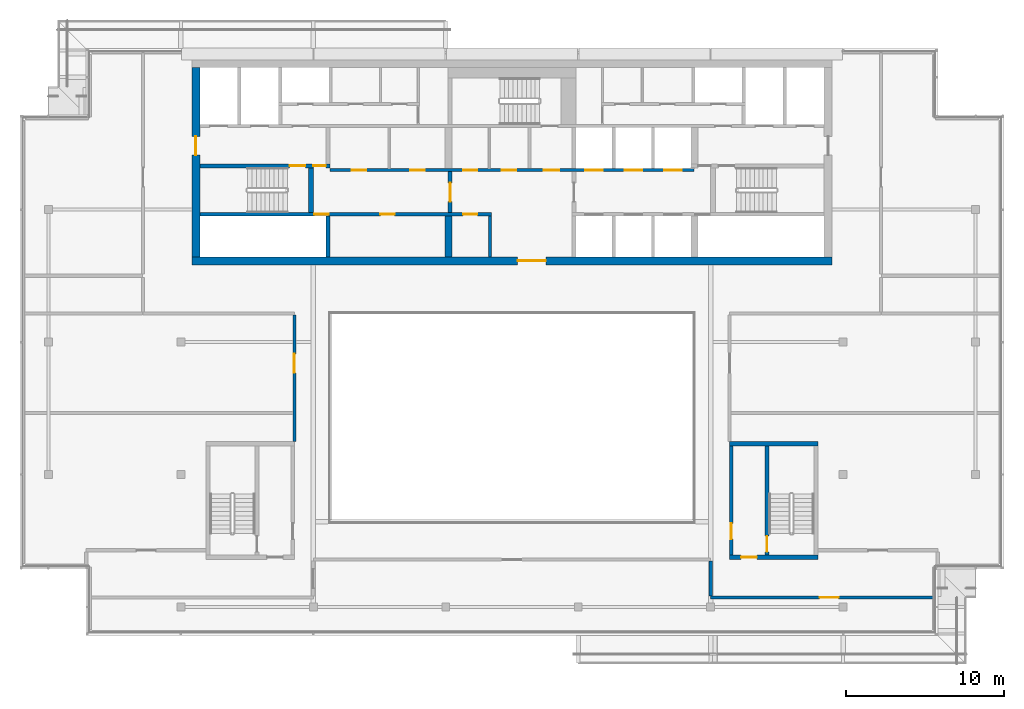
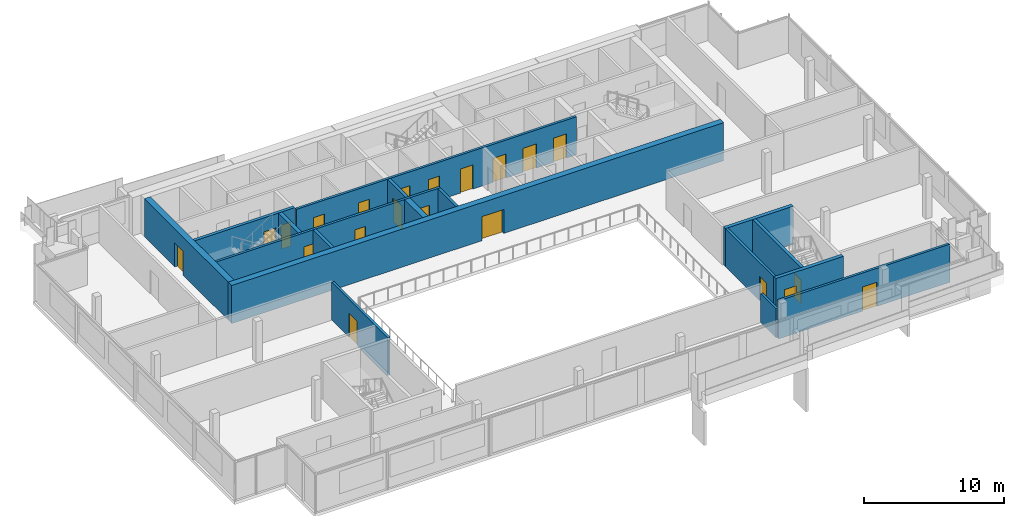
# One storey, part 12 of 21: 21 doors, 17 walls, 21 openings.
"""IFC4 building model written with IfcOpenShell, lengths in metres."""

from ifc_helpers import new_model, si_unit, direction, frame, frame_2d, origin, place, context, subcontext, project, spatial, rectangle, extrude, material, layer, layer_set, type_object, element, fill, save


model = new_model("IFC4")

# Units and contexts
model_context = context("Model", 3, precision=1e-05, world=origin(), true_north=direction((0.0, 1.0)))
body_context = subcontext(model_context, "Body", "Model", "MODEL_VIEW")
ifc_project = project(units=[si_unit("LENGTHUNIT", "METRE"), si_unit("AREAUNIT", "SQUARE_METRE"), si_unit("VOLUMEUNIT", "CUBIC_METRE"), si_unit("PLANEANGLEUNIT", "RADIAN"), si_unit("MASSUNIT", "GRAM", prefix="KILO")], contexts=[model_context])

# Site, building, storey
site_placement = place(None, origin())
site = spatial("IfcSite", under=ifc_project, at=site_placement, CompositionType="ELEMENT")
building_placement = place(site_placement, origin())
building = spatial("IfcBuilding", under=site, at=building_placement, Name="Saffron Gate Tower", CompositionType="ELEMENT")
storey_placement = place(building_placement, frame((0.0, 0.0, 299.550048828125)))
storey = spatial("IfcBuildingStorey", under=building, at=storey_placement, Name="L73", CompositionType="ELEMENT", Elevation=299.550048828125)

# Wall
ifc_material_1 = material(Name="Gypsum board partition on steel studs", Category="steel")
ifc_layer_1 = layer(ifc_material_1, 0.199951171875)
ifc_layer_set_1 = layer_set([ifc_layer_1], Name="CW10 Core partition 200")
wall_type_1 = type_object("IfcWallType", Name="CW10 Core partition 200", PredefinedType="PARTITIONING", material=ifc_layer_set_1)
wall_1_placement = place(storey_placement, frame((86.199951171875, 62.39990234375, 0.0), z_axis=(0.0, 0.0, 1.0), x_axis=(0.0, 1.0, 0.0)))
element("IfcWall", 1, at=wall_1_placement, inside=storey, type_object=wall_type_1, Name="Wall CW10-L73-7", PredefinedType="PARTITIONING", context=body_context, shape_type="SweptSolid", body=[
    extrude(rectangle(XDim=2.60009765625, YDim=0.199951171875, at=frame_2d((1.300048828125, 0.0))), origin(), (0.0, 0.0, 1.0), 3.320068359375),
])

# Wall, opening, door
wall_2_placement = place(storey_placement, frame((101.5, 43.5, 0.0), z_axis=(0.0, 0.0, 1.0), x_axis=(0.0, 1.0, 0.0)))
wall_2 = element("IfcWall", 2, at=wall_2_placement, inside=storey, type_object=wall_type_1, Name="Wall CW10-L73-E-2", PredefinedType="PARTITIONING", context=body_context, shape_type="SweptSolid", body=[
    extrude(rectangle(XDim=6.89990234375, YDim=0.199951171875, at=frame_2d((3.449951171875, 0.0))), origin(), (0.0, 0.0, 1.0), 3.320068359375),
])
opening_1_placement = place(wall_2_placement, frame((1.0, 0.0, 0.0)))
opening_1 = element("IfcOpeningElement", 3, at=opening_1_placement, cuts=wall_2, Name="Opening CR-22", PredefinedType="OPENING", context=body_context, shape_type="SweptSolid", body=[
    extrude(rectangle(XDim=1.0, YDim=2.10009765625, at=frame_2d((0.5, 1.050048828125))), frame((0.0, 0.10986328125, 0.0), z_axis=(0.0, -1.0, 0.0), x_axis=(1.0, 0.0, 0.0)), (0.0, 0.0, 1.0), 0.219970703125),
])
ifc_material_2 = material(Name="Steel fire door set", Category="steel")
door_type_1 = type_object("IfcDoorType", Name="CD4 Lobby door 1000x2100 EI 120", OperationType="NOTDEFINED", PredefinedType="DOOR", material=ifc_material_2)
door_1_placement = place(opening_1_placement, origin())
door_1 = element("IfcDoor", 4, at=door_1_placement, inside=storey, type_object=door_type_1, Name="DOOR CR-22", OperationType="SINGLE_SWING_LEFT", OverallHeight=2.10009765625, OverallWidth=1.0, PredefinedType="DOOR", context=body_context, shape_type="SweptSolid", body=[
    extrude(rectangle(XDim=1.0, YDim=2.10009765625, at=frame_2d((0.5, 1.050048828125))), frame((0.0, 0.02490234375, 0.0), z_axis=(0.0, -1.0, 0.0), x_axis=(1.0, 0.0, 0.0)), (0.0, 0.0, 1.0), 0.050048828125),
])
fill(opening_1, door_1)

ifc_material_3 = material(Name="Concrete C50", Category="concrete")
ifc_layer_2 = layer(ifc_material_3, 0.5)
ifc_layer_set_2 = layer_set([ifc_layer_2], Name="CW22 RC core wall 500 C50")
wall_type_2 = type_object("IfcWallType", Name="CW22 RC core wall 500 C50", PredefinedType="SOLIDWALL", material=ifc_layer_set_2)
wall_3_placement = place(storey_placement, frame((67.300048828125, 62.14990234375, 0.0), z_axis=(0.0, 0.0, 1.0), x_axis=(1.0, 0.0, 0.0)))
wall_3 = element("IfcWall", 5, at=wall_3_placement, inside=storey, type_object=wall_type_2, Name="Wall CW22-L73-1", PredefinedType="SOLIDWALL", context=body_context, shape_type="SweptSolid", body=[
    extrude(rectangle(XDim=40.599853515625, YDim=0.5, at=frame_2d((20.2998046875, 0.0))), origin(), (0.0, 0.0, 1.0), 3.320068359375),
])
opening_2_placement = place(wall_3_placement, frame((20.64990234375, 0.0, 0.0)))
opening_2 = element("IfcOpeningElement", 6, at=opening_2_placement, cuts=wall_3, Name="Opening CR-09", PredefinedType="OPENING", context=body_context, shape_type="SweptSolid", body=[
    extrude(rectangle(XDim=1.800048828125, YDim=2.10009765625, at=frame_2d((0.89990234375, 1.050048828125))), frame((0.0, 0.260009765625, 0.0), z_axis=(0.0, -1.0, 0.0), x_axis=(1.0, 0.0, 0.0)), (0.0, 0.0, 1.0), 0.52001953125),
])
door_type_2 = type_object("IfcDoorType", Name="CD1 Core entrance door 1800x2100 EI 120", OperationType="NOTDEFINED", PredefinedType="DOOR", material=ifc_material_2)
door_2_placement = place(opening_2_placement, origin())
door_2 = element("IfcDoor", 7, at=door_2_placement, inside=storey, type_object=door_type_2, Name="DOOR CR-09", OperationType="DOUBLE_DOOR_SINGLE_SWING", OverallHeight=2.10009765625, OverallWidth=1.800048828125, PredefinedType="DOOR", context=body_context, shape_type="SweptSolid", body=[
    extrude(rectangle(XDim=1.800048828125, YDim=2.10009765625, at=frame_2d((0.89990234375, 1.050048828125))), frame((0.0, 0.02490234375, 0.0), z_axis=(0.0, -1.0, 0.0), x_axis=(1.0, 0.0, 0.0)), (0.0, 0.0, 1.0), 0.050048828125),
])
fill(opening_2, door_2)

wall_4_placement = place(storey_placement, frame((67.550048828125, 62.39990234375, 0.0), z_axis=(0.0, 0.0, 1.0), x_axis=(0.0, 1.0, 0.0)))
wall_4 = element("IfcWall", 8, at=wall_4_placement, inside=storey, type_object=wall_type_2, Name="Wall CW22-L73-3", PredefinedType="SOLIDWALL", context=body_context, shape_type="SweptSolid", body=[
    extrude(rectangle(XDim=12.0, YDim=0.5, at=frame_2d((6.0, 0.0))), origin(), (0.0, 0.0, 1.0), 3.320068359375),
])
opening_3_placement = place(wall_4_placement, frame((6.449951171875, 0.0, 0.0)))
opening_3 = element("IfcOpeningElement", 9, at=opening_3_placement, cuts=wall_4, Name="Opening CR-10", PredefinedType="OPENING", context=body_context, shape_type="SweptSolid", body=[
    extrude(rectangle(XDim=1.199951171875, YDim=2.10009765625, at=frame_2d((0.60009765625, 1.050048828125))), frame((0.0, 0.260009765625, 0.0), z_axis=(0.0, -1.0, 0.0), x_axis=(1.0, 0.0, 0.0)), (0.0, 0.0, 1.0), 0.52001953125),
])
door_type_3 = type_object("IfcDoorType", Name="CD7 Core entrance door 1200x2100 EI 120", OperationType="NOTDEFINED", PredefinedType="DOOR", material=ifc_material_2)
door_3_placement = place(opening_3_placement, origin())
door_3 = element("IfcDoor", 10, at=door_3_placement, inside=storey, type_object=door_type_3, Name="DOOR CR-10", OperationType="SINGLE_SWING_LEFT", OverallHeight=2.10009765625, OverallWidth=1.199951171875, PredefinedType="DOOR", context=body_context, shape_type="SweptSolid", body=[
    extrude(rectangle(XDim=1.199951171875, YDim=2.10009765625, at=frame_2d((0.60009765625, 1.050048828125))), frame((0.0, 0.02490234375, 0.0), z_axis=(0.0, -1.0, 0.0), x_axis=(1.0, 0.0, 0.0)), (0.0, 0.0, 1.0), 0.050048828125),
])
fill(opening_3, door_3)

# Wall
ifc_layer_3 = layer(ifc_material_3, 0.25)
ifc_layer_set_3 = layer_set([ifc_layer_3], Name="CW23 RC core wall 250 C50")
wall_type_3 = type_object("IfcWallType", Name="CW23 RC core wall 250 C50", PredefinedType="SOLIDWALL", material=ifc_layer_set_3)
wall_5_placement = place(storey_placement, frame((75.925048828125, 62.39990234375, 0.0), z_axis=(0.0, 0.0, 1.0), x_axis=(0.0, 1.0, 0.0)))
element("IfcWall", 11, at=wall_5_placement, inside=storey, type_object=wall_type_3, Name="Wall CW23-L73-5", PredefinedType="SOLIDWALL", context=body_context, shape_type="SweptSolid", body=[
    extrude(rectangle(XDim=2.60009765625, YDim=0.25, at=frame_2d((1.300048828125, 0.0))), origin(), (0.0, 0.0, 1.0), 3.320068359375),
])

# Wall, opening, door
wall_6_placement = place(storey_placement, frame((83.675048828125, 65.199951171875, 0.0), z_axis=(0.0, 0.0, 1.0), x_axis=(0.0, 1.0, 0.0)))
wall_6 = element("IfcWall", 12, at=wall_6_placement, inside=storey, type_object=wall_type_3, Name="Wall CW23-L73-15", PredefinedType="SOLIDWALL", context=body_context, shape_type="SweptSolid", body=[
    extrude(rectangle(XDim=2.60009765625, YDim=0.25, at=frame_2d((1.300048828125, 0.0))), origin(), (0.0, 0.0, 1.0), 3.320068359375),
])
opening_4_placement = place(wall_6_placement, frame((0.699951171875, 0.0, 0.0)))
opening_4 = element("IfcOpeningElement", 13, at=opening_4_placement, cuts=wall_6, Name="Opening CR-07", PredefinedType="OPENING", context=body_context, shape_type="SweptSolid", body=[
    extrude(rectangle(XDim=1.199951171875, YDim=2.10009765625, at=frame_2d((0.60009765625, 1.050048828125))), frame((0.0, 0.135009765625, 0.0), z_axis=(0.0, -1.0, 0.0), x_axis=(1.0, 0.0, 0.0)), (0.0, 0.0, 1.0), 0.27001953125),
])
door_type_4 = type_object("IfcDoorType", Name="CD3 Lobby door 1200x2100 EI 120", OperationType="NOTDEFINED", PredefinedType="DOOR", material=ifc_material_2)
door_4_placement = place(opening_4_placement, origin())
door_4 = element("IfcDoor", 14, at=door_4_placement, inside=storey, type_object=door_type_4, Name="DOOR CR-07", OperationType="SINGLE_SWING_RIGHT", OverallHeight=2.10009765625, OverallWidth=1.199951171875, PredefinedType="DOOR", context=body_context, shape_type="SweptSolid", body=[
    extrude(rectangle(XDim=1.199951171875, YDim=2.10009765625, at=frame_2d((0.60009765625, 1.050048828125))), frame((0.0, 0.02490234375, 0.0), z_axis=(0.0, -1.0, 0.0), x_axis=(1.0, 0.0, 0.0)), (0.0, 0.0, 1.0), 0.050048828125),
])
fill(opening_4, door_4)

# Wall, openings, doors
wall_7_placement = place(storey_placement, frame((67.800048828125, 68.175048828125, 0.0), z_axis=(0.0, 0.0, 1.0), x_axis=(1.0, 0.0, 0.0)))
wall_7 = element("IfcWall", 15, at=wall_7_placement, inside=storey, type_object=wall_type_3, Name="Wall CW23-L73-27", PredefinedType="SOLIDWALL", context=body_context, shape_type="SweptSolid", body=[
    extrude(rectangle(XDim=8.25, YDim=0.25, at=frame_2d((4.125, 0.0))), origin(), (0.0, 0.0, 1.0), 3.320068359375),
])
opening_5_placement = place(wall_7_placement, frame((5.699951171875, 0.0, 0.0)))
opening_5 = element("IfcOpeningElement", 16, at=opening_5_placement, cuts=wall_7, Name="Opening CR-15", PredefinedType="OPENING", context=body_context, shape_type="SweptSolid", body=[
    extrude(rectangle(XDim=1.0, YDim=2.10009765625, at=frame_2d((0.5, 1.050048828125))), frame((0.0, 0.135009765625, 0.0), z_axis=(0.0, -1.0, 0.0), x_axis=(1.0, 0.0, 0.0)), (0.0, 0.0, 1.0), 0.27001953125),
])
opening_6_placement = place(wall_7_placement, frame((7.199951171875, 0.0, 0.0)))
opening_6 = element("IfcOpeningElement", 17, at=opening_6_placement, cuts=wall_7, Name="Opening CR-06", PredefinedType="OPENING", context=body_context, shape_type="SweptSolid", body=[
    extrude(rectangle(XDim=0.800048828125, YDim=2.10009765625, at=frame_2d((0.39990234375, 1.050048828125))), frame((0.0, 0.135009765625, 0.0), z_axis=(0.0, -1.0, 0.0), x_axis=(1.0, 0.0, 0.0)), (0.0, 0.0, 1.0), 0.27001953125),
])
door_type_5 = type_object("IfcDoorType", Name="CD5 Stair door 1000x2100 EI 120", OperationType="NOTDEFINED", PredefinedType="DOOR", material=ifc_material_2)
door_5_placement = place(opening_5_placement, origin())
door_5 = element("IfcDoor", 18, at=door_5_placement, inside=storey, type_object=door_type_5, Name="DOOR CR-15", OperationType="SINGLE_SWING_RIGHT", OverallHeight=2.10009765625, OverallWidth=1.0, PredefinedType="DOOR", context=body_context, shape_type="SweptSolid", body=[
    extrude(rectangle(XDim=1.0, YDim=2.10009765625, at=frame_2d((0.5, 1.050048828125))), frame((0.0, 0.02490234375, 0.0), z_axis=(0.0, -1.0, 0.0), x_axis=(1.0, 0.0, 0.0)), (0.0, 0.0, 1.0), 0.050048828125),
])
fill(opening_5, door_5)
door_type_6 = type_object("IfcDoorType", Name="CD6 Lobby door 800x2100 EI 120", OperationType="NOTDEFINED", PredefinedType="DOOR", material=ifc_material_2)
door_6_placement = place(opening_6_placement, origin())
door_6 = element("IfcDoor", 19, at=door_6_placement, inside=storey, type_object=door_type_6, Name="DOOR CR-06", OperationType="SINGLE_SWING_LEFT", OverallHeight=2.10009765625, OverallWidth=0.800048828125, PredefinedType="DOOR", context=body_context, shape_type="SweptSolid", body=[
    extrude(rectangle(XDim=0.800048828125, YDim=2.10009765625, at=frame_2d((0.39990234375, 1.050048828125))), frame((0.0, 0.02490234375, 0.0), z_axis=(0.0, -1.0, 0.0), x_axis=(1.0, 0.0, 0.0)), (0.0, 0.0, 1.0), 0.050048828125),
])
fill(opening_6, door_6)

# Wall, opening, door
wall_8_placement = place(storey_placement, frame((103.77490234375, 43.5, 0.0), z_axis=(0.0, 0.0, 1.0), x_axis=(0.0, 1.0, 0.0)))
wall_8 = element("IfcWall", 20, at=wall_8_placement, inside=storey, type_object=wall_type_3, Name="Wall CW23-L73-E-3", PredefinedType="SOLIDWALL", context=body_context, shape_type="SweptSolid", body=[
    extrude(rectangle(XDim=6.89990234375, YDim=0.25, at=frame_2d((3.449951171875, 0.0))), origin(), (0.0, 0.0, 1.0), 3.320068359375),
])
opening_7_placement = place(wall_8_placement, frame((0.199951171875, 0.0, 0.0)))
opening_7 = element("IfcOpeningElement", 21, at=opening_7_placement, cuts=wall_8, Name="Opening CR-23", PredefinedType="OPENING", context=body_context, shape_type="SweptSolid", body=[
    extrude(rectangle(XDim=1.0, YDim=2.10009765625, at=frame_2d((0.5, 1.050048828125))), frame((0.0, 0.135009765625, 0.0), z_axis=(0.0, -1.0, 0.0), x_axis=(1.0, 0.0, 0.0)), (0.0, 0.0, 1.0), 0.27001953125),
])
door_7_placement = place(opening_7_placement, origin())
door_7 = element("IfcDoor", 22, at=door_7_placement, inside=storey, type_object=door_type_5, Name="DOOR CR-23", OperationType="SINGLE_SWING_RIGHT", OverallHeight=2.10009765625, OverallWidth=1.0, PredefinedType="DOOR", context=body_context, shape_type="SweptSolid", body=[
    extrude(rectangle(XDim=1.0, YDim=2.10009765625, at=frame_2d((0.5, 1.050048828125))), frame((0.0, 0.02490234375, 0.0), z_axis=(0.0, -1.0, 0.0), x_axis=(1.0, 0.0, 0.0)), (0.0, 0.0, 1.0), 0.050048828125),
])
fill(opening_7, door_7)

# Wall
ifc_layer_4 = layer(ifc_material_3, 0.449951171875)
ifc_layer_set_4 = layer_set([ifc_layer_4], Name="CW24 RC core wall 450 C50")
wall_type_4 = type_object("IfcWallType", Name="CW24 RC core wall 450 C50", PredefinedType="SOLIDWALL", material=ifc_layer_set_4)
wall_9_placement = place(storey_placement, frame((83.574951171875, 62.39990234375, 0.0), z_axis=(0.0, 0.0, 1.0), x_axis=(0.0, 1.0, 0.0)))
element("IfcWall", 23, at=wall_9_placement, inside=storey, type_object=wall_type_4, Name="Wall CW24-L73-6", PredefinedType="SOLIDWALL", context=body_context, shape_type="SweptSolid", body=[
    extrude(rectangle(XDim=2.60009765625, YDim=0.449951171875, at=frame_2d((1.300048828125, 0.0))), origin(), (0.0, 0.0, 1.0), 3.320068359375),
])

# Wall, openings, doors
ifc_layer_5 = layer(ifc_material_3, 0.199951171875)
ifc_layer_set_5 = layer_set([ifc_layer_5], Name="CW25 RC core wall 200 C50")
wall_type_5 = type_object("IfcWallType", Name="CW25 RC core wall 200 C50", PredefinedType="SOLIDWALL", material=ifc_layer_set_5)
wall_10_placement = place(storey_placement, frame((67.800048828125, 65.10009765625, 0.0), z_axis=(0.0, 0.0, 1.0), x_axis=(1.0, 0.0, 0.0)))
wall_10 = element("IfcWall", 24, at=wall_10_placement, inside=storey, type_object=wall_type_5, Name="Wall CW25-L73-12", PredefinedType="SOLIDWALL", context=body_context, shape_type="SweptSolid", body=[
    extrude(rectangle(XDim=18.5, YDim=0.199951171875, at=frame_2d((9.25, 0.0))), origin(), (0.0, 0.0, 1.0), 3.320068359375),
])
opening_8_placement = place(wall_10_placement, frame((7.27001953125, 0.0, 0.0)))
opening_8 = element("IfcOpeningElement", 25, at=opening_8_placement, cuts=wall_10, Name="Opening CR-49", PredefinedType="OPENING", context=body_context, shape_type="SweptSolid", body=[
    extrude(rectangle(XDim=0.89990234375, YDim=2.10009765625, at=frame_2d((0.449951171875, 1.050048828125))), frame((0.0, 0.10986328125, 0.0), z_axis=(0.0, -1.0, 0.0), x_axis=(1.0, 0.0, 0.0)), (0.0, 0.0, 1.0), 0.219970703125),
])
opening_9_placement = place(wall_10_placement, frame((11.449951171875, 0.0, 0.0)))
opening_9 = element("IfcOpeningElement", 26, at=opening_9_placement, cuts=wall_10, Name="Opening CR-64", PredefinedType="OPENING", context=body_context, shape_type="SweptSolid", body=[
    extrude(rectangle(XDim=0.89990234375, YDim=2.10009765625, at=frame_2d((0.449951171875, 1.050048828125))), frame((0.0, 0.10986328125, 0.0), z_axis=(0.0, -1.0, 0.0), x_axis=(1.0, 0.0, 0.0)), (0.0, 0.0, 1.0), 0.219970703125),
])
opening_10_placement = place(wall_10_placement, frame((16.699951171875, 0.0, 0.0)))
opening_10 = element("IfcOpeningElement", 27, at=opening_10_placement, cuts=wall_10, Name="Opening CR-69", PredefinedType="OPENING", context=body_context, shape_type="SweptSolid", body=[
    extrude(rectangle(XDim=0.89990234375, YDim=2.10009765625, at=frame_2d((0.449951171875, 1.050048828125))), frame((0.0, 0.10986328125, 0.0), z_axis=(0.0, -1.0, 0.0), x_axis=(1.0, 0.0, 0.0)), (0.0, 0.0, 1.0), 0.219970703125),
])
door_type_7 = type_object("IfcDoorType", Name="CD2 Riser door 900x2100 EI 60", OperationType="NOTDEFINED", PredefinedType="DOOR", material=ifc_material_2)
door_8_placement = place(opening_8_placement, origin())
door_8 = element("IfcDoor", 28, at=door_8_placement, inside=storey, type_object=door_type_7, Name="DOOR CR-49", OperationType="SINGLE_SWING_LEFT", OverallHeight=2.10009765625, OverallWidth=0.89990234375, PredefinedType="DOOR", context=body_context, shape_type="SweptSolid", body=[
    extrude(rectangle(XDim=0.89990234375, YDim=2.10009765625, at=frame_2d((0.449951171875, 1.050048828125))), frame((0.0, 0.02490234375, 0.0), z_axis=(0.0, -1.0, 0.0), x_axis=(1.0, 0.0, 0.0)), (0.0, 0.0, 1.0), 0.050048828125),
])
fill(opening_8, door_8)
door_type_8 = type_object("IfcDoorType", Name="CD9 Room door 900x2100 EI 60", OperationType="NOTDEFINED", PredefinedType="DOOR", material=ifc_material_2)
door_9_placement = place(opening_9_placement, origin())
door_9 = element("IfcDoor", 29, at=door_9_placement, inside=storey, type_object=door_type_8, Name="DOOR CR-64", OperationType="SINGLE_SWING_RIGHT", OverallHeight=2.10009765625, OverallWidth=0.89990234375, PredefinedType="DOOR", context=body_context, shape_type="SweptSolid", body=[
    extrude(rectangle(XDim=0.89990234375, YDim=2.10009765625, at=frame_2d((0.449951171875, 1.050048828125))), frame((0.0, 0.02490234375, 0.0), z_axis=(0.0, -1.0, 0.0), x_axis=(1.0, 0.0, 0.0)), (0.0, 0.0, 1.0), 0.050048828125),
])
fill(opening_9, door_9)
door_10_placement = place(opening_10_placement, origin())
door_10 = element("IfcDoor", 30, at=door_10_placement, inside=storey, type_object=door_type_8, Name="DOOR CR-69", OperationType="SINGLE_SWING_RIGHT", OverallHeight=2.10009765625, OverallWidth=0.89990234375, PredefinedType="DOOR", context=body_context, shape_type="SweptSolid", body=[
    extrude(rectangle(XDim=0.89990234375, YDim=2.10009765625, at=frame_2d((0.449951171875, 1.050048828125))), frame((0.0, 0.02490234375, 0.0), z_axis=(0.0, -1.0, 0.0), x_axis=(1.0, 0.0, 0.0)), (0.0, 0.0, 1.0), 0.050048828125),
])
fill(opening_10, door_10)

wall_11_placement = place(storey_placement, frame((76.050048828125, 67.89990234375, 0.0), z_axis=(0.0, 0.0, 1.0), x_axis=(1.0, 0.0, 0.0)))
wall_11 = element("IfcWall", 31, at=wall_11_placement, inside=storey, type_object=wall_type_5, Name="Wall CW25-L73-18", PredefinedType="SOLIDWALL", context=body_context, shape_type="SweptSolid", body=[
    extrude(rectangle(XDim=23.099853515625, YDim=0.199951171875, at=frame_2d((11.5498046875, 0.0))), origin(), (0.0, 0.0, 1.0), 3.320068359375),
])
opening_11_placement = place(wall_11_placement, frame((1.39990234375, 0.0, 0.0)))
opening_11 = element("IfcOpeningElement", 32, at=opening_11_placement, cuts=wall_11, Name="Opening CR-61", PredefinedType="OPENING", context=body_context, shape_type="SweptSolid", body=[
    extrude(rectangle(XDim=0.89990234375, YDim=2.10009765625, at=frame_2d((0.449951171875, 1.050048828125))), frame((0.0, 0.10986328125, 0.0), z_axis=(0.0, -1.0, 0.0), x_axis=(1.0, 0.0, 0.0)), (0.0, 0.0, 1.0), 0.219970703125),
])
opening_12_placement = place(wall_11_placement, frame((5.110107421875, 0.0, 0.0)))
opening_12 = element("IfcOpeningElement", 33, at=opening_12_placement, cuts=wall_11, Name="Opening CR-62", PredefinedType="OPENING", context=body_context, shape_type="SweptSolid", body=[
    extrude(rectangle(XDim=0.89990234375, YDim=2.10009765625, at=frame_2d((0.449951171875, 1.050048828125))), frame((0.0, 0.10986328125, 0.0), z_axis=(0.0, -1.0, 0.0), x_axis=(1.0, 0.0, 0.0)), (0.0, 0.0, 1.0), 0.219970703125),
])
opening_13_placement = place(wall_11_placement, frame((8.449951171875, 0.0, 0.0)))
opening_13 = element("IfcOpeningElement", 34, at=opening_13_placement, cuts=wall_11, Name="Opening CR-67", PredefinedType="OPENING", context=body_context, shape_type="SweptSolid", body=[
    extrude(rectangle(XDim=0.89990234375, YDim=2.10009765625, at=frame_2d((0.449951171875, 1.050048828125))), frame((0.0, 0.10986328125, 0.0), z_axis=(0.0, -1.0, 0.0), x_axis=(1.0, 0.0, 0.0)), (0.0, 0.0, 1.0), 0.219970703125),
])
opening_14_placement = place(wall_11_placement, frame((10.909912109375, 0.0, 0.0)))
opening_14 = element("IfcOpeningElement", 35, at=opening_14_placement, cuts=wall_11, Name="Opening CR-68", PredefinedType="OPENING", context=body_context, shape_type="SweptSolid", body=[
    extrude(rectangle(XDim=0.89990234375, YDim=2.10009765625, at=frame_2d((0.449951171875, 1.050048828125))), frame((0.0, 0.10986328125, 0.0), z_axis=(0.0, -1.0, 0.0), x_axis=(1.0, 0.0, 0.0)), (0.0, 0.0, 1.0), 0.219970703125),
])
opening_15_placement = place(wall_11_placement, frame((13.550048828125, 0.0, 0.0)))
opening_15 = element("IfcOpeningElement", 36, at=opening_15_placement, cuts=wall_11, Name="Opening CR-02", PredefinedType="OPENING", context=body_context, shape_type="SweptSolid", body=[
    extrude(rectangle(XDim=1.0, YDim=2.10009765625, at=frame_2d((0.5, 1.050048828125))), frame((0.0, 0.10986328125, 0.0), z_axis=(0.0, -1.0, 0.0), x_axis=(1.0, 0.0, 0.0)), (0.0, 0.0, 1.0), 0.219970703125),
])
opening_16_placement = place(wall_11_placement, frame((16.199951171875, 0.0, 0.0)))
opening_16 = element("IfcOpeningElement", 37, at=opening_16_placement, cuts=wall_11, Name="Opening LD-HR4", PredefinedType="OPENING", context=body_context, shape_type="SweptSolid", body=[
    extrude(rectangle(XDim=1.10009765625, YDim=2.10009765625, at=frame_2d((0.550048828125, 1.050048828125))), frame((0.0, 0.10986328125, 0.0), z_axis=(0.0, -1.0, 0.0), x_axis=(1.0, 0.0, 0.0)), (0.0, 0.0, 1.0), 0.219970703125),
])
opening_17_placement = place(wall_11_placement, frame((18.699951171875, 0.0, 0.0)))
opening_17 = element("IfcOpeningElement", 38, at=opening_17_placement, cuts=wall_11, Name="Opening LD-HR5", PredefinedType="OPENING", context=body_context, shape_type="SweptSolid", body=[
    extrude(rectangle(XDim=1.10009765625, YDim=2.10009765625, at=frame_2d((0.550048828125, 1.050048828125))), frame((0.0, 0.10986328125, 0.0), z_axis=(0.0, -1.0, 0.0), x_axis=(1.0, 0.0, 0.0)), (0.0, 0.0, 1.0), 0.219970703125),
])
opening_18_placement = place(wall_11_placement, frame((21.199951171875, 0.0, 0.0)))
opening_18 = element("IfcOpeningElement", 39, at=opening_18_placement, cuts=wall_11, Name="Opening LD-HR6", PredefinedType="OPENING", context=body_context, shape_type="SweptSolid", body=[
    extrude(rectangle(XDim=1.10009765625, YDim=2.10009765625, at=frame_2d((0.550048828125, 1.050048828125))), frame((0.0, 0.10986328125, 0.0), z_axis=(0.0, -1.0, 0.0), x_axis=(1.0, 0.0, 0.0)), (0.0, 0.0, 1.0), 0.219970703125),
])
door_11_placement = place(opening_15_placement, origin())
door_11 = element("IfcDoor", 40, at=door_11_placement, inside=storey, type_object=door_type_1, Name="DOOR CR-02", OperationType="SINGLE_SWING_LEFT", OverallHeight=2.10009765625, OverallWidth=1.0, PredefinedType="DOOR", context=body_context, shape_type="SweptSolid", body=[
    extrude(rectangle(XDim=1.0, YDim=2.10009765625, at=frame_2d((0.5, 1.050048828125))), frame((0.0, 0.02490234375, 0.0), z_axis=(0.0, -1.0, 0.0), x_axis=(1.0, 0.0, 0.0)), (0.0, 0.0, 1.0), 0.050048828125),
])
fill(opening_15, door_11)
door_12_placement = place(opening_11_placement, origin())
door_12 = element("IfcDoor", 41, at=door_12_placement, inside=storey, type_object=door_type_8, Name="DOOR CR-61", OperationType="SINGLE_SWING_LEFT", OverallHeight=2.10009765625, OverallWidth=0.89990234375, PredefinedType="DOOR", context=body_context, shape_type="SweptSolid", body=[
    extrude(rectangle(XDim=0.89990234375, YDim=2.10009765625, at=frame_2d((0.449951171875, 1.050048828125))), frame((0.0, 0.02490234375, 0.0), z_axis=(0.0, -1.0, 0.0), x_axis=(1.0, 0.0, 0.0)), (0.0, 0.0, 1.0), 0.050048828125),
])
fill(opening_11, door_12)
door_13_placement = place(opening_12_placement, origin())
door_13 = element("IfcDoor", 42, at=door_13_placement, inside=storey, type_object=door_type_8, Name="DOOR CR-62", OperationType="SINGLE_SWING_LEFT", OverallHeight=2.10009765625, OverallWidth=0.89990234375, PredefinedType="DOOR", context=body_context, shape_type="SweptSolid", body=[
    extrude(rectangle(XDim=0.89990234375, YDim=2.10009765625, at=frame_2d((0.449951171875, 1.050048828125))), frame((0.0, 0.02490234375, 0.0), z_axis=(0.0, -1.0, 0.0), x_axis=(1.0, 0.0, 0.0)), (0.0, 0.0, 1.0), 0.050048828125),
])
fill(opening_12, door_13)
door_14_placement = place(opening_13_placement, origin())
door_14 = element("IfcDoor", 43, at=door_14_placement, inside=storey, type_object=door_type_8, Name="DOOR CR-67", OperationType="SINGLE_SWING_LEFT", OverallHeight=2.10009765625, OverallWidth=0.89990234375, PredefinedType="DOOR", context=body_context, shape_type="SweptSolid", body=[
    extrude(rectangle(XDim=0.89990234375, YDim=2.10009765625, at=frame_2d((0.449951171875, 1.050048828125))), frame((0.0, 0.02490234375, 0.0), z_axis=(0.0, -1.0, 0.0), x_axis=(1.0, 0.0, 0.0)), (0.0, 0.0, 1.0), 0.050048828125),
])
fill(opening_13, door_14)
door_15_placement = place(opening_14_placement, origin())
door_15 = element("IfcDoor", 44, at=door_15_placement, inside=storey, type_object=door_type_8, Name="DOOR CR-68", OperationType="SINGLE_SWING_LEFT", OverallHeight=2.10009765625, OverallWidth=0.89990234375, PredefinedType="DOOR", context=body_context, shape_type="SweptSolid", body=[
    extrude(rectangle(XDim=0.89990234375, YDim=2.10009765625, at=frame_2d((0.449951171875, 1.050048828125))), frame((0.0, 0.02490234375, 0.0), z_axis=(0.0, -1.0, 0.0), x_axis=(1.0, 0.0, 0.0)), (0.0, 0.0, 1.0), 0.050048828125),
])
fill(opening_14, door_15)
ifc_material_4 = material(Name="Stainless steel landing door", Category="steel")
door_type_9 = type_object("IfcDoorType", Name="LD Lift landing door 1100x2100 EI 120", OperationType="SLIDING_TO_LEFT", PredefinedType="DOOR", material=ifc_material_4)
door_16_placement = place(opening_16_placement, origin())
door_16 = element("IfcDoor", 45, at=door_16_placement, inside=storey, type_object=door_type_9, Name="LANDING DOOR LD-HR4", OperationType="SLIDING_TO_RIGHT", OverallHeight=2.10009765625, OverallWidth=1.10009765625, PredefinedType="DOOR", context=body_context, shape_type="SweptSolid", body=[
    extrude(rectangle(XDim=1.10009765625, YDim=2.10009765625, at=frame_2d((0.550048828125, 1.050048828125))), frame((0.0, 0.02490234375, 0.0), z_axis=(0.0, -1.0, 0.0), x_axis=(1.0, 0.0, 0.0)), (0.0, 0.0, 1.0), 0.050048828125),
])
fill(opening_16, door_16)
door_17_placement = place(opening_17_placement, origin())
door_17 = element("IfcDoor", 46, at=door_17_placement, inside=storey, type_object=door_type_9, Name="LANDING DOOR LD-HR5", OperationType="SLIDING_TO_RIGHT", OverallHeight=2.10009765625, OverallWidth=1.10009765625, PredefinedType="DOOR", context=body_context, shape_type="SweptSolid", body=[
    extrude(rectangle(XDim=1.10009765625, YDim=2.10009765625, at=frame_2d((0.550048828125, 1.050048828125))), frame((0.0, 0.02490234375, 0.0), z_axis=(0.0, -1.0, 0.0), x_axis=(1.0, 0.0, 0.0)), (0.0, 0.0, 1.0), 0.050048828125),
])
fill(opening_17, door_17)
door_18_placement = place(opening_18_placement, origin())
door_18 = element("IfcDoor", 47, at=door_18_placement, inside=storey, type_object=door_type_9, Name="LANDING DOOR LD-HR6", OperationType="SLIDING_TO_RIGHT", OverallHeight=2.10009765625, OverallWidth=1.10009765625, PredefinedType="DOOR", context=body_context, shape_type="SweptSolid", body=[
    extrude(rectangle(XDim=1.10009765625, YDim=2.10009765625, at=frame_2d((0.550048828125, 1.050048828125))), frame((0.0, 0.02490234375, 0.0), z_axis=(0.0, -1.0, 0.0), x_axis=(1.0, 0.0, 0.0)), (0.0, 0.0, 1.0), 0.050048828125),
])
fill(opening_18, door_18)

# Wall
ifc_layer_6 = layer(ifc_material_3, 0.300048828125)
ifc_layer_set_6 = layer_set([ifc_layer_6], Name="CW26 RC core wall 300 C50")
wall_type_6 = type_object("IfcWallType", Name="CW26 RC core wall 300 C50", PredefinedType="SOLIDWALL", material=ifc_layer_set_6)
wall_12_placement = place(storey_placement, frame((74.85009765625, 65.199951171875, 0.0), z_axis=(0.0, 0.0, 1.0), x_axis=(0.0, 1.0, 0.0)))
element("IfcWall", 48, at=wall_12_placement, inside=storey, type_object=wall_type_6, Name="Wall CW26-L73-14", PredefinedType="SOLIDWALL", context=body_context, shape_type="SweptSolid", body=[
    extrude(rectangle(XDim=2.85009765625, YDim=0.300048828125, at=frame_2d((1.425048828125, 0.0))), origin(), (0.0, 0.0, 1.0), 3.320068359375),
])

# Wall, opening, door
wall_13_placement = place(storey_placement, frame((101.39990234375, 43.35009765625, 0.0), z_axis=(0.0, 0.0, 1.0), x_axis=(1.0, 0.0, 0.0)))
wall_13 = element("IfcWall", 49, at=wall_13_placement, inside=storey, type_object=wall_type_6, Name="Wall CW26-L73-E-1", PredefinedType="SOLIDWALL", context=body_context, shape_type="SweptSolid", body=[
    extrude(rectangle(XDim=5.60009765625, YDim=0.300048828125, at=frame_2d((2.800048828125, 0.0))), origin(), (0.0, 0.0, 1.0), 3.320068359375),
])
opening_19_placement = place(wall_13_placement, frame((0.72509765625, 0.0, 0.0)))
opening_19 = element("IfcOpeningElement", 50, at=opening_19_placement, cuts=wall_13, Name="Opening CR-21", PredefinedType="OPENING", context=body_context, shape_type="SweptSolid", body=[
    extrude(rectangle(XDim=1.0, YDim=2.10009765625, at=frame_2d((0.5, 1.050048828125))), frame((0.0, 0.16015625, 0.0), z_axis=(0.0, -1.0, 0.0), x_axis=(1.0, 0.0, 0.0)), (0.0, 0.0, 1.0), 0.320068359375),
])
door_19_placement = place(opening_19_placement, origin())
door_19 = element("IfcDoor", 51, at=door_19_placement, inside=storey, type_object=door_type_1, Name="DOOR CR-21", OperationType="SINGLE_SWING_RIGHT", OverallHeight=2.10009765625, OverallWidth=1.0, PredefinedType="DOOR", context=body_context, shape_type="SweptSolid", body=[
    extrude(rectangle(XDim=1.0, YDim=2.10009765625, at=frame_2d((0.5, 1.050048828125))), frame((0.0, 0.02490234375, 0.0), z_axis=(0.0, -1.0, 0.0), x_axis=(1.0, 0.0, 0.0)), (0.0, 0.0, 1.0), 0.050048828125),
])
fill(opening_19, door_19)

# Wall
wall_14_placement = place(storey_placement, frame((101.39990234375, 50.550048828125, 0.0), z_axis=(0.0, 0.0, 1.0), x_axis=(1.0, 0.0, 0.0)))
element("IfcWall", 52, at=wall_14_placement, inside=storey, type_object=wall_type_6, Name="Wall CW26-L73-E-5", PredefinedType="SOLIDWALL", context=body_context, shape_type="SweptSolid", body=[
    extrude(rectangle(XDim=5.60009765625, YDim=0.300048828125, at=frame_2d((2.800048828125, 0.0))), origin(), (0.0, 0.0, 1.0), 3.320068359375),
])

# Wall, opening, door
ifc_material_5 = material(Name="Clay brick masonry, rendered", Category="masonry")
ifc_layer_7 = layer(ifc_material_5, 0.199951171875)
ifc_layer_set_7 = layer_set([ifc_layer_7], Name="PW3 Corridor wall 200")
wall_type_7 = type_object("IfcWallType", Name="PW3 Corridor wall 200", PredefinedType="PARTITIONING", material=ifc_layer_set_7)
wall_15_placement = place(storey_placement, frame((114.320068359375, 40.800048828125, 0.0), z_axis=(0.0, 0.0, 1.0), x_axis=(-1.0, 0.0, 0.0)))
wall_15 = element("IfcWall", 53, at=wall_15_placement, inside=storey, type_object=wall_type_7, Name="Wall E6-2", PredefinedType="PARTITIONING", context=body_context, shape_type="SweptSolid", body=[
    extrude(rectangle(XDim=14.1201171875, YDim=0.199951171875, at=frame_2d((7.06005859375, 0.0))), origin(), (0.0, 0.0, 1.0), 3.320068359375),
])
opening_20_placement = place(wall_15_placement, frame((6.010009765625, 0.0, 0.0)))
opening_20 = element("IfcOpeningElement", 54, at=opening_20_placement, cuts=wall_15, Name="Opening E6-6", PredefinedType="OPENING", context=body_context, shape_type="SweptSolid", body=[
    extrude(rectangle(XDim=1.199951171875, YDim=2.10009765625, at=frame_2d((0.60009765625, 1.050048828125))), frame((0.0, 0.10986328125, 0.0), z_axis=(0.0, -1.0, 0.0), x_axis=(1.0, 0.0, 0.0)), (0.0, 0.0, 1.0), 0.219970703125),
])
ifc_material_6 = material(Name="Timber door set", Category="wood")
door_type_10 = type_object("IfcDoorType", Name="HD1 Hall door 1200x2100", OperationType="NOTDEFINED", PredefinedType="DOOR", material=ifc_material_6)
door_20_placement = place(opening_20_placement, origin())
door_20 = element("IfcDoor", 55, at=door_20_placement, inside=storey, type_object=door_type_10, Name="Door E6-6", OperationType="SINGLE_SWING_RIGHT", OverallHeight=2.10009765625, OverallWidth=1.199951171875, PredefinedType="DOOR", context=body_context, shape_type="SweptSolid", body=[
    extrude(rectangle(XDim=1.199951171875, YDim=2.10009765625, at=frame_2d((0.60009765625, 1.050048828125))), frame((0.0, 0.02490234375, 0.0), z_axis=(0.0, -1.0, 0.0), x_axis=(1.0, 0.0, 0.0)), (0.0, 0.0, 1.0), 0.050048828125),
])
fill(opening_20, door_20)

wall_16_placement = place(storey_placement, frame((73.800048828125, 50.699951171875, 0.0), z_axis=(0.0, 0.0, 1.0), x_axis=(0.0, 1.0, 0.0)))
wall_16 = element("IfcWall", 56, at=wall_16_placement, inside=storey, type_object=wall_type_7, Name="Wall E6-17", PredefinedType="PARTITIONING", context=body_context, shape_type="SweptSolid", body=[
    extrude(rectangle(XDim=8.0, YDim=0.199951171875, at=frame_2d((4.0, 0.0))), origin(), (0.0, 0.0, 1.0), 3.320068359375),
])
opening_21_placement = place(wall_16_placement, frame((4.35009765625, 0.0, 0.0)))
opening_21 = element("IfcOpeningElement", 57, at=opening_21_placement, cuts=wall_16, Name="Opening E6-2", PredefinedType="OPENING", context=body_context, shape_type="SweptSolid", body=[
    extrude(rectangle(XDim=1.199951171875, YDim=2.10009765625, at=frame_2d((0.60009765625, 1.050048828125))), frame((0.0, 0.10986328125, 0.0), z_axis=(0.0, -1.0, 0.0), x_axis=(1.0, 0.0, 0.0)), (0.0, 0.0, 1.0), 0.219970703125),
])
door_21_placement = place(opening_21_placement, origin())
door_21 = element("IfcDoor", 58, at=door_21_placement, inside=storey, type_object=door_type_10, Name="Door E6-2", OperationType="SINGLE_SWING_RIGHT", OverallHeight=2.10009765625, OverallWidth=1.199951171875, PredefinedType="DOOR", context=body_context, shape_type="SweptSolid", body=[
    extrude(rectangle(XDim=1.199951171875, YDim=2.10009765625, at=frame_2d((0.60009765625, 1.050048828125))), frame((0.0, 0.02490234375, 0.0), z_axis=(0.0, -1.0, 0.0), x_axis=(1.0, 0.0, 0.0)), (0.0, 0.0, 1.0), 0.050048828125),
])
fill(opening_21, door_21)

# Wall
wall_17_placement = place(storey_placement, frame((100.199951171875, 43.10009765625, 0.0), z_axis=(0.0, 0.0, 1.0), x_axis=(0.0, -1.0, 0.0)))
element("IfcWall", 59, at=wall_17_placement, inside=storey, type_object=wall_type_7, Name="Wall E6-19", PredefinedType="PARTITIONING", context=body_context, shape_type="SweptSolid", body=[
    extrude(rectangle(XDim=2.2001953125, YDim=0.199951171875, at=frame_2d((1.10009765625, 0.0))), origin(), (0.0, 0.0, 1.0), 2.530029296875),
])

save(model, "model.ifc")
